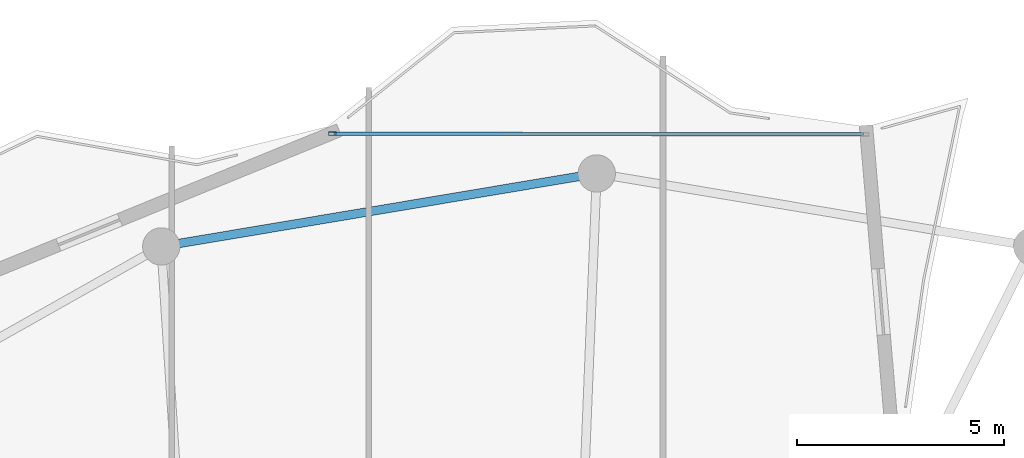
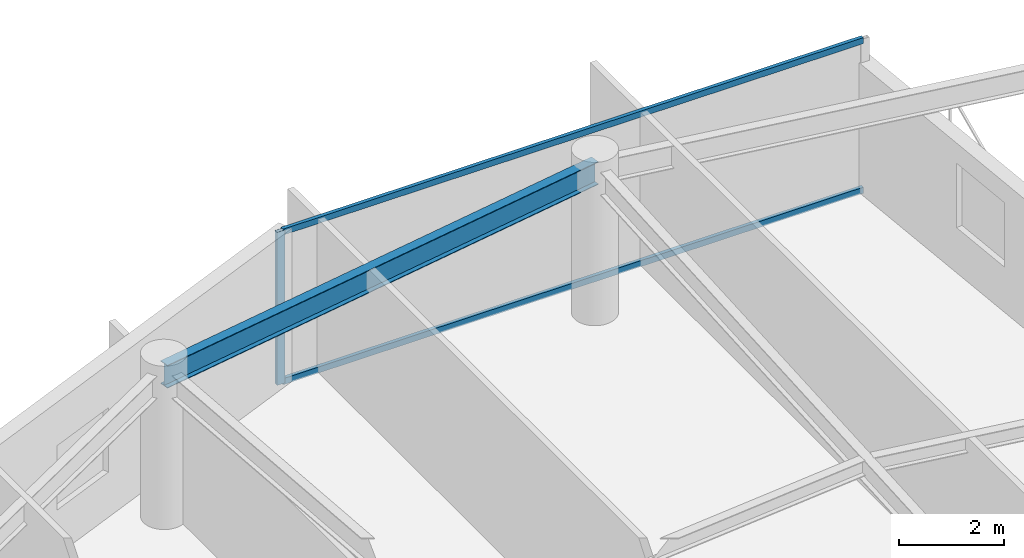
# One storey, part 16 of 23: 3 members, 1 beam, 1 element without a shape of its own.
"""IFC4 building model written with IfcOpenShell, lengths in metres."""

from ifc_helpers import new_model, si_unit, direction, frame, origin, origin_2d, place, context, subcontext, project, spatial, hollow_rectangle, i_section, extrude, material, layer, layer_set, material_profile, profile_set, type_object, element, aggregate, save


model = new_model("IFC4")

# Units and contexts
model_context = context("Model", 3, precision=1e-05, world=origin(), true_north=direction((0.0, 1.0)))
body_context = subcontext(model_context, "Body", "Model", "MODEL_VIEW")
ifc_project = project(units=[si_unit("LENGTHUNIT", "METRE"), si_unit("AREAUNIT", "SQUARE_METRE"), si_unit("VOLUMEUNIT", "CUBIC_METRE"), si_unit("PLANEANGLEUNIT", "RADIAN"), si_unit("MASSUNIT", "GRAM", prefix="KILO")], contexts=[model_context])

# Site, building, storey
site_placement = place(None, origin())
site = spatial("IfcSite", under=ifc_project, at=site_placement, CompositionType="ELEMENT")
building_placement = place(site_placement, origin())
building = spatial("IfcBuilding", under=site, at=building_placement, Name="Kazevale Care Tower and Concert Hall", CompositionType="ELEMENT")
storey_placement = place(building_placement, frame((0.0, 0.0, 266.199951171875)))
storey = spatial("IfcBuildingStorey", under=building, at=storey_placement, Name="L70", CompositionType="ELEMENT", Elevation=266.199951171875)

# Curtain wall, members
ifc_material_1 = material(Name="Aluminium 6063-T6 and Low-E Glass", Category="aluminium")
ifc_layer = layer(ifc_material_1, 0.179931640625)
ifc_layer_set = layer_set([ifc_layer], Name="Aluminium 6063-T6 and Low-E Glass")
curtain_wall_type = type_object("IfcCurtainWallType", Name="Waist & Upper Residential Curtain Wall CW-4", PredefinedType="NOTDEFINED", material=ifc_layer_set)
curtain_wall_placement = place(storey_placement, origin())
curtain_wall = element("IfcCurtainWall", 1, at=curtain_wall_placement, inside=storey, type_object=curtain_wall_type, Name="cw:L70:f12", PredefinedType="NOTDEFINED")
ifc_material_2 = material(Name="Aluminium 6063-T6", Category="aluminium")
ifc_material_profile_1 = material_profile(ifc_material_2, hollow_rectangle(XDim=0.080078125, YDim=0.179931640625, WallThickness=0.0048828125, at=origin_2d()), Name="ALU80x180x5")
ifc_profile_set_1 = profile_set([ifc_material_profile_1], Name="Aluminium 6063-T6")
member_type_1 = type_object("IfcMemberType", Name="CW-4 Mullion ALU80x180x5", PredefinedType="MULLION", material=ifc_profile_set_1)
member_1_placement = place(storey_placement, frame((38.6240234375, 62.10986328125, 0.0), z_axis=(0.0, 0.0, 1.0), x_axis=(0.00139254081, 0.999999030415, 0.0)))
member_1 = element("IfcMember", 2, at=member_1_placement, type_object=member_type_1, Name="CW-4 mullion 1", PredefinedType="MULLION", context=body_context, shape_type="SweptSolid", body=[
    extrude(hollow_rectangle(XDim=0.080078125, YDim=0.179931640625, WallThickness=0.0048828125, at=origin_2d()), origin(), (0.0, 0.0, 1.0), 3.56005859375),
])
ifc_material_profile_2 = material_profile(ifc_material_2, hollow_rectangle(XDim=0.080078125, YDim=0.139892578125, WallThickness=0.00390625, at=origin_2d()), Name="ALU80x140x4")
ifc_profile_set_2 = profile_set([ifc_material_profile_2], Name="Aluminium 6063-T6")
member_type_2 = type_object("IfcMemberType", Name="CW-4 Transom ALU80x140x4", PredefinedType="USERDEFINED", material=ifc_profile_set_2)
member_2_placement = place(storey_placement, frame((38.6640625, 62.10986328125, 0.0400390625), z_axis=(0.999999025472, -0.001396085771, 0.0), x_axis=(0.001396085771, 0.999999025472, 0.0)))
member_2 = element("IfcMember", 3, at=member_2_placement, type_object=member_type_2, Name="CW-4 transom 1.1", ObjectType="TRANSOM", PredefinedType="USERDEFINED", context=body_context, shape_type="SweptSolid", body=[
    extrude(hollow_rectangle(XDim=0.080078125, YDim=0.139892578125, WallThickness=0.00390625, at=origin_2d()), origin(), (0.0, 0.0, 1.0), 12.765869140625),
])
member_3_placement = place(storey_placement, frame((38.6640625, 62.10986328125, 3.52001953125), z_axis=(0.999999025472, -0.001396085771, 0.0), x_axis=(0.001396085771, 0.999999025472, 0.0)))
member_3 = element("IfcMember", 4, at=member_3_placement, type_object=member_type_2, Name="CW-4 transom 1.2", ObjectType="TRANSOM", PredefinedType="USERDEFINED", context=body_context, shape_type="SweptSolid", body=[
    extrude(hollow_rectangle(XDim=0.080078125, YDim=0.139892578125, WallThickness=0.00390625, at=origin_2d()), origin(), (0.0, 0.0, 1.0), 12.765869140625),
])
aggregate(curtain_wall, [member_1, member_2, member_3])

# Beam
ifc_material_3 = material(Name="Steel ASTM A572 Gr 50", Category="steel")
ifc_material_profile_3 = material_profile(ifc_material_3, i_section(OverallWidth=0.208984375, OverallDepth=0.532958984375, WebThickness=0.01025390625, FlangeThickness=0.015625, at=origin_2d()), Name="W530x92")
ifc_profile_set_3 = profile_set([ifc_material_profile_3], Name="Steel ASTM A572 Gr 50")
beam_type = type_object("IfcBeamType", Name="Upper Ring Beam W530x92", PredefinedType="BEAM", material=ifc_profile_set_3)
beam_placement = place(storey_placement, frame((45.0, 61.14990234375, 3.29345703125), z_axis=(-0.986241035683, -0.165313700387, 0.0), x_axis=(0.165313700387, -0.986241035683, 0.0)))
element("IfcBeam", 5, at=beam_placement, inside=storey, type_object=beam_type, Name="beam:L70:ring:05", PredefinedType="BEAM", context=body_context, shape_type="SweptSolid", body=[
    extrude(i_section(OverallWidth=0.208984375, OverallDepth=0.532958984375, WebThickness=0.01025390625, FlangeThickness=0.015625, at=origin_2d()), origin(), (0.0, 0.0, 1.0), 10.646484375),
])

save(model, "model.ifc")
